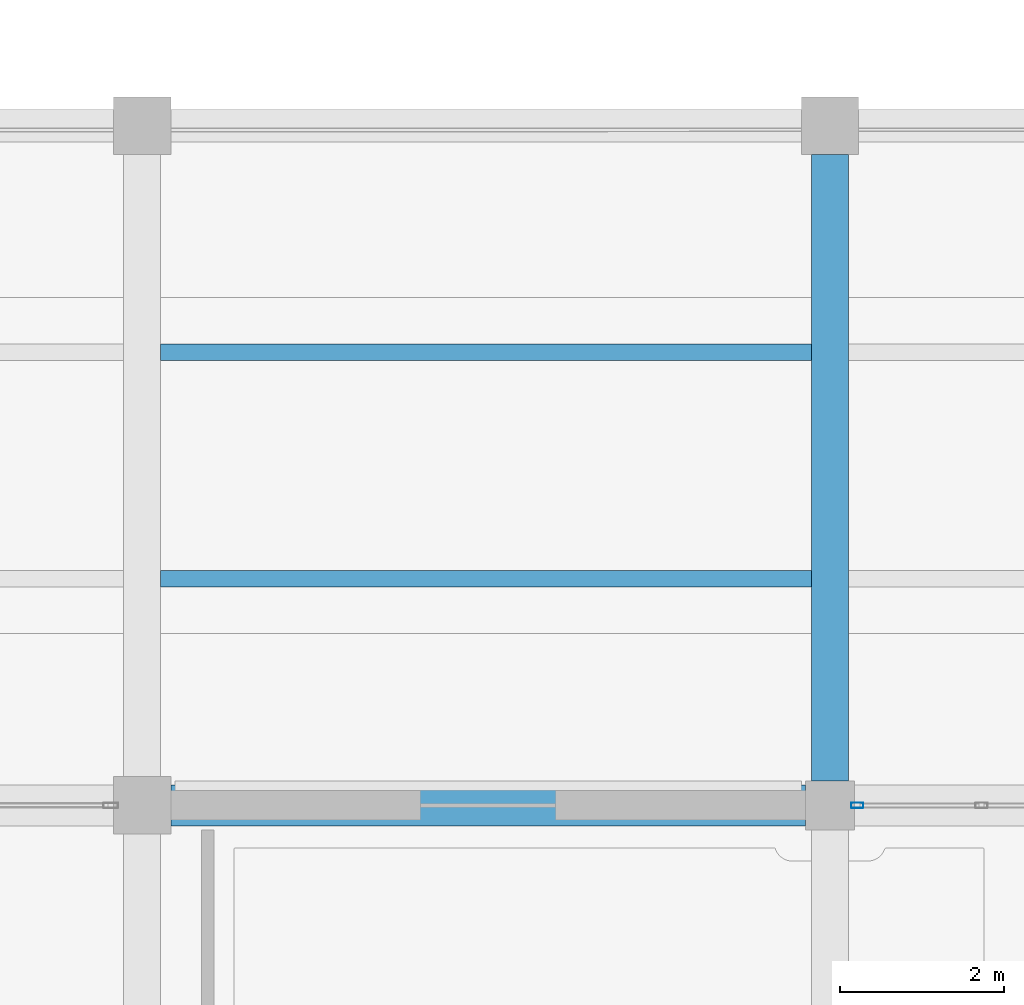
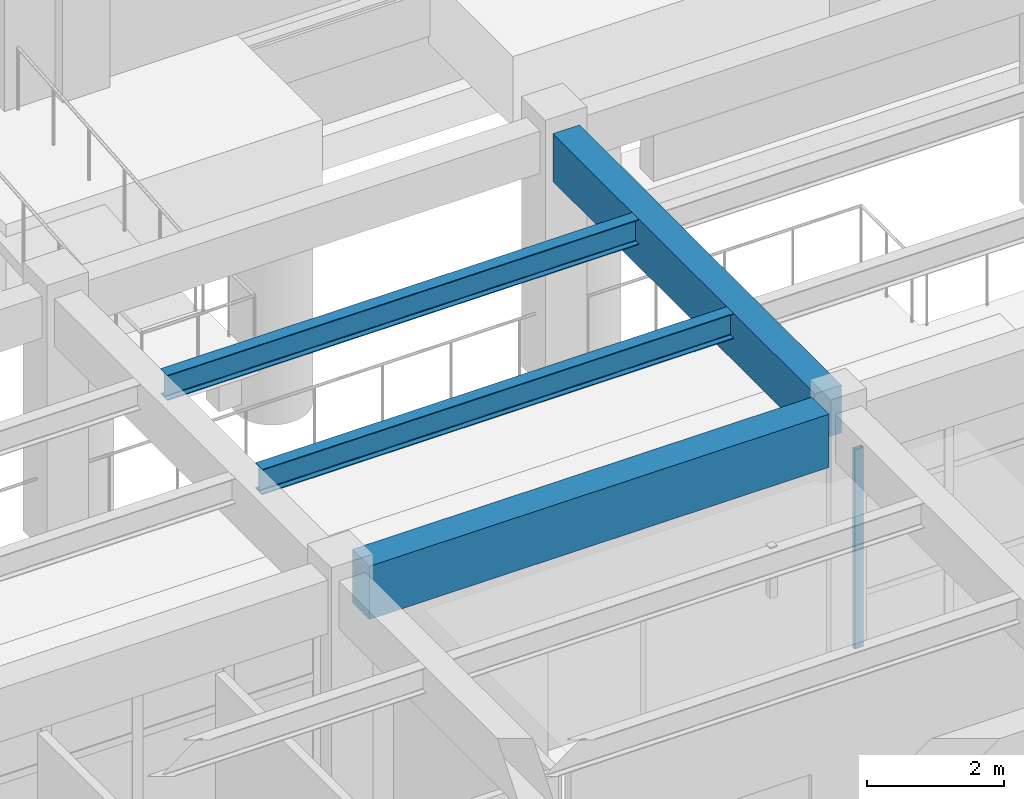
# One storey, part 31 of 98: 4 beams, 1 member, 1 element without a shape of its own.
"""IFC4 building model written with IfcOpenShell, lengths in metres."""

from ifc_helpers import new_model, si_unit, direction, frame, origin, origin_2d, place, context, subcontext, project, spatial, rectangle, hollow_rectangle, i_section, extrude, material, material_profile, profile_set, type_object, element, aggregate, save


model = new_model("IFC4")

# Units and contexts
model_context = context("Model", 3, precision=1e-05, world=origin(), true_north=direction((0.0, 1.0)))
body_context = subcontext(model_context, "Body", "Model", "MODEL_VIEW")
ifc_project = project(units=[si_unit("LENGTHUNIT", "METRE"), si_unit("AREAUNIT", "SQUARE_METRE"), si_unit("VOLUMEUNIT", "CUBIC_METRE"), si_unit("PLANEANGLEUNIT", "RADIAN"), si_unit("MASSUNIT", "GRAM", prefix="KILO")], contexts=[model_context])

# Site, building, storey
site_placement = place(None, origin())
site = spatial("IfcSite", under=ifc_project, at=site_placement, CompositionType="ELEMENT")
building_placement = place(site_placement, origin())
building = spatial("IfcBuilding", under=site, at=building_placement, Name="Canglan Escarpment Cableway Terminal", CompositionType="ELEMENT")
storey_placement = place(building_placement, frame((0.0, 0.0, 9.60009765625)))
storey = spatial("IfcBuildingStorey", under=building, at=storey_placement, Name="L02", CompositionType="ELEMENT", Elevation=9.60009765625)

# Beams
ifc_material_1 = material(Name="Concrete C40", Category="concrete")
ifc_material_profile_1 = material_profile(ifc_material_1, rectangle(XDim=0.449951171875, YDim=0.85009765625, at=origin_2d()), Name="RC 450x850")
ifc_profile_set_1 = profile_set([ifc_material_profile_1], Name="Concrete C40")
beam_type_1 = type_object("IfcBeamType", Name="BM-RC450x850", PredefinedType="BEAM", material=ifc_profile_set_1)
beam_1_placement = place(storey_placement, frame((128.300048828125, 25.10009765625, 4.094970703125), z_axis=(0.0, 1.0, 0.0), x_axis=(-1.0, 0.0, 0.0)))
element("IfcBeam", 1, at=beam_1_placement, inside=storey, type_object=beam_type_1, Name="Primary transverse girder B-02", PredefinedType="BEAM", context=body_context, shape_type="SweptSolid", body=[
    extrude(rectangle(XDim=0.449951171875, YDim=0.85009765625, at=origin_2d()), origin(), (0.0, 0.0, 1.0), 7.64990234375),
])
ifc_material_2 = material(Name="Concrete C50", Category="concrete")
ifc_material_profile_2 = material_profile(ifc_material_2, rectangle(XDim=0.5, YDim=0.949951171875, at=origin_2d()), Name="RC 500x950")
ifc_profile_set_2 = profile_set([ifc_material_profile_2], Name="Concrete C50")
beam_type_2 = type_object("IfcBeamType", Name="BM-RC500x950", PredefinedType="BEAM", material=ifc_profile_set_2)
beam_2_placement = place(storey_placement, frame((120.25, 24.800048828125, 4.044921875), z_axis=(1.0, 0.0, 0.0), x_axis=(0.0, 1.0, 0.0)))
element("IfcBeam", 2, at=beam_2_placement, inside=storey, type_object=beam_type_2, Name="Primary structural girder B-01", PredefinedType="BEAM", context=body_context, shape_type="SweptSolid", body=[
    extrude(rectangle(XDim=0.5, YDim=0.949951171875, at=origin_2d()), origin(), (0.0, 0.0, 1.0), 7.75),
])

# Curtain wall, member
ifc_material_3 = material(Name="Anodized bronze aluminium and Low-E double glazing", Category="aluminium")
curtain_wall_type = type_object("IfcCurtainWallType", Name="CW-BAY-7750x3550", PredefinedType="NOTDEFINED", material=ifc_material_3)
curtain_wall_placement = place(storey_placement, origin())
curtain_wall = element("IfcCurtainWall", 3, at=curtain_wall_placement, inside=storey, type_object=curtain_wall_type, Name="Classical bay-between-piers glazed curtain wall CW-16", PredefinedType="NOTDEFINED")
ifc_material_4 = material(Name="Thermally broken anodized aluminium 6063-T6", Category="aluminium")
ifc_material_profile_3 = material_profile(ifc_material_4, hollow_rectangle(XDim=0.06494140625, YDim=0.14990234375, WallThickness=0.00341796875, InnerFilletRadius=0.00341796875, OuterFilletRadius=0.007080078125, at=origin_2d()), Name="ALU-MULL 65x150x3.5")
ifc_profile_set_3 = profile_set([ifc_material_profile_3], Name="Thermally broken anodized aluminium 6063-T6")
member_type = type_object("IfcMemberType", Name="CWM-02", PredefinedType="MULLION", material=ifc_profile_set_3)
member_placement = place(storey_placement, frame((128.632568359375, 24.800048828125, 0.0), z_axis=(0.0, 0.0, 1.0), x_axis=(0.0, -1.0, 0.0)))
member = element("IfcMember", 4, at=member_placement, type_object=member_type, Name="CW-16 mullion 6", PredefinedType="MULLION", context=body_context, shape_type="SweptSolid", body=[
    extrude(hollow_rectangle(XDim=0.06494140625, YDim=0.14990234375, WallThickness=0.00341796875, InnerFilletRadius=0.00341796875, OuterFilletRadius=0.007080078125, at=origin_2d()), origin(), (0.0, 0.0, 1.0), 3.554931640625),
])
aggregate(curtain_wall, [member])

# Beams
ifc_material_5 = material(Name="Steel Q355B", Category="steel")
ifc_material_profile_4 = material_profile(ifc_material_5, i_section(OverallWidth=0.199951171875, OverallDepth=0.449951171875, WebThickness=0.009033203125, FlangeThickness=0.013916015625, FilletRadius=0.01806640625, at=origin_2d()), Name="HN 450x200x9x14")
ifc_profile_set_4 = profile_set([ifc_material_profile_4], Name="Steel Q355B")
beam_type_3 = type_object("IfcBeamType", Name="JS-HN450", PredefinedType="JOIST", material=ifc_profile_set_4)
for number, where, z_axis, x_axis, name in (
    (5, (120.125, 27.566650390625, 4.294921875), (1.0, 0.0, 0.0), (0.0, 1.0, 0.0), "Secondary composite deck joist J-02"),
    (6, (120.125, 30.333251953125, 4.294921875), (1.0, 0.0, 0.0), (0.0, 1.0, 0.0), "Secondary composite deck joist J-02"),
):
    element("IfcBeam", number, at=place(storey_placement, frame(where, z_axis=z_axis, x_axis=x_axis)), inside=storey, type_object=beam_type_3, Name=name, PredefinedType="JOIST", context=body_context, shape_type="SweptSolid", body=[
        extrude(i_section(OverallWidth=0.199951171875, OverallDepth=0.449951171875, WebThickness=0.009033203125, FlangeThickness=0.013916015625, FilletRadius=0.01806640625, at=origin_2d()), origin(), (0.0, 0.0, 1.0), 7.949951171875),
    ])

save(model, "model.ifc")
